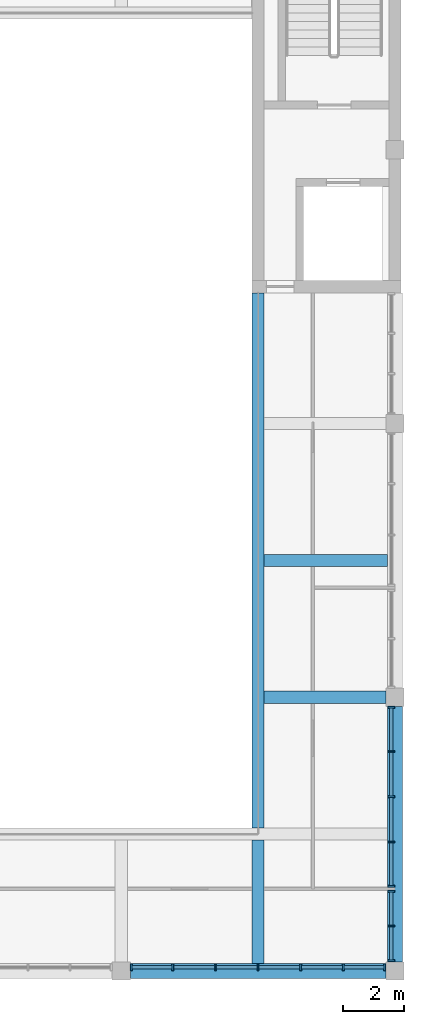
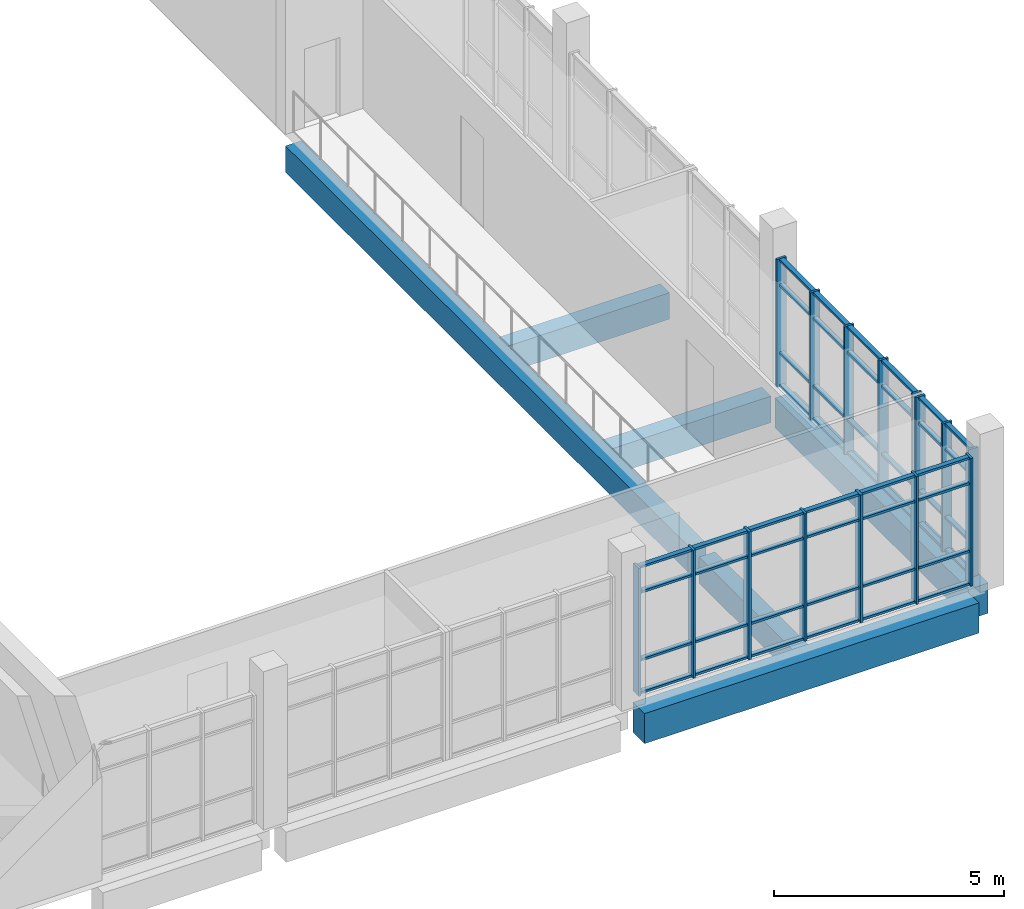
# One storey, part 12 of 88: 63 members, 6 beams, 3 elements without a shape of their own.
"""IFC4 building model written with IfcOpenShell, lengths in metres."""

from ifc_helpers import new_model, si_unit, direction, frame, origin, origin_2d, place, context, subcontext, project, spatial, rectangle, extrude, material, material_profile, profile_set, type_object, element, aggregate, save


model = new_model("IFC4")

# Units and contexts
model_context = context("Model", 3, precision=1e-05, world=origin(), true_north=direction((0.0, 1.0)))
body_context = subcontext(model_context, "Body", "Model", "MODEL_VIEW")
ifc_project = project(units=[si_unit("LENGTHUNIT", "METRE"), si_unit("AREAUNIT", "SQUARE_METRE"), si_unit("VOLUMEUNIT", "CUBIC_METRE"), si_unit("PLANEANGLEUNIT", "RADIAN"), si_unit("MASSUNIT", "GRAM", prefix="KILO")], contexts=[model_context])

# Site, building, storey
site_placement = place(None, origin())
site = spatial("IfcSite", under=ifc_project, at=site_placement, CompositionType="ELEMENT")
building_placement = place(site_placement, origin())
building = spatial("IfcBuilding", under=site, at=building_placement, Name="Merrow Basin Faculty of Sciences", CompositionType="ELEMENT")
storey_placement = place(building_placement, frame((0.0, 0.0, 9.0)))
storey = spatial("IfcBuildingStorey", under=building, at=storey_placement, Name="L02", CompositionType="ELEMENT", Elevation=9.0)

# Curtain wall, members
ifc_material_1 = material(Name="Aluminium alloy 6063", Category="aluminium")
curtain_wall_type = type_object("IfcCurtainWallType", Name="Atrium unitised curtain wall 240", PredefinedType="NOTDEFINED", material=ifc_material_1)
curtain_wall_1_placement = place(storey_placement, origin())
curtain_wall_1 = element("IfcCurtainWall", 1, at=curtain_wall_1_placement, inside=storey, type_object=curtain_wall_type, Name="E curtain wall L02 1", PredefinedType="NOTDEFINED")
ifc_material_2 = material(Name="Aluminium alloy 6063", Category="aluminium")
ifc_material_profile_1 = material_profile(ifc_material_2, rectangle(XDim=0.239990234375, YDim=0.06005859375, at=origin_2d()))
ifc_profile_set_1 = profile_set([ifc_material_profile_1], Name="Aluminium alloy 6063")
member_type_1 = type_object("IfcMemberType", Name="Aluminium mullion 60x240", PredefinedType="MULLION", material=ifc_profile_set_1)
member_1_placement = place(storey_placement, frame((71.8798828125, 0.330078125, 0.0), z_axis=(0.0, 0.0, 1.0), x_axis=(-1.0, 0.0, 0.0)))
member_1 = element("IfcMember", 2, at=member_1_placement, type_object=member_type_1, Name="CW5 mullion 1", PredefinedType="MULLION", context=body_context, shape_type="SweptSolid", body=[
    extrude(rectangle(XDim=0.239990234375, YDim=0.06005859375, at=origin_2d()), origin(), (0.0, 0.0, 1.0), 3.39990234375),
])
member_2_placement = place(storey_placement, frame((71.8798828125, 1.47509765625, 0.0), z_axis=(0.0, 0.0, 1.0), x_axis=(-1.0, 0.0, 0.0)))
member_2 = element("IfcMember", 3, at=member_2_placement, type_object=member_type_1, Name="CW5 mullion 2", PredefinedType="MULLION", context=body_context, shape_type="SweptSolid", body=[
    extrude(rectangle(XDim=0.239990234375, YDim=0.06005859375, at=origin_2d()), origin(), (0.0, 0.0, 1.0), 3.39990234375),
])
member_3_placement = place(storey_placement, frame((71.8798828125, 2.6201171875, 0.0), z_axis=(0.0, 0.0, 1.0), x_axis=(-1.0, 0.0, 0.0)))
member_3 = element("IfcMember", 4, at=member_3_placement, type_object=member_type_1, Name="CW5 mullion 3", PredefinedType="MULLION", context=body_context, shape_type="SweptSolid", body=[
    extrude(rectangle(XDim=0.239990234375, YDim=0.06005859375, at=origin_2d()), origin(), (0.0, 0.0, 1.0), 3.39990234375),
])

curtain_wall_2_placement = place(storey_placement, origin())
curtain_wall_2 = element("IfcCurtainWall", 5, at=curtain_wall_2_placement, inside=storey, type_object=curtain_wall_type, Name="E curtain wall L02 2", PredefinedType="NOTDEFINED")
member_4_placement = place(storey_placement, frame((71.8798828125, 2.780029296875, 0.0), z_axis=(0.0, 0.0, 1.0), x_axis=(-1.0, 0.0, 0.0)))
member_4 = element("IfcMember", 6, at=member_4_placement, type_object=member_type_1, Name="CW5 mullion 1", PredefinedType="MULLION", context=body_context, shape_type="SweptSolid", body=[
    extrude(rectangle(XDim=0.239990234375, YDim=0.06005859375, at=origin_2d()), origin(), (0.0, 0.0, 1.0), 3.39990234375),
])
member_5_placement = place(storey_placement, frame((71.8798828125, 4.237548828125, 0.0), z_axis=(0.0, 0.0, 1.0), x_axis=(-1.0, 0.0, 0.0)))
member_5 = element("IfcMember", 7, at=member_5_placement, type_object=member_type_1, Name="CW5 mullion 2", PredefinedType="MULLION", context=body_context, shape_type="SweptSolid", body=[
    extrude(rectangle(XDim=0.239990234375, YDim=0.06005859375, at=origin_2d()), origin(), (0.0, 0.0, 1.0), 3.39990234375),
])
member_6_placement = place(storey_placement, frame((71.8798828125, 5.72509765625, 0.0), z_axis=(0.0, 0.0, 1.0), x_axis=(-1.0, 0.0, 0.0)))
member_6 = element("IfcMember", 8, at=member_6_placement, type_object=member_type_1, Name="CW5 mullion 3", PredefinedType="MULLION", context=body_context, shape_type="SweptSolid", body=[
    extrude(rectangle(XDim=0.239990234375, YDim=0.06005859375, at=origin_2d()), origin(), (0.0, 0.0, 1.0), 3.39990234375),
])
member_7_placement = place(storey_placement, frame((71.8798828125, 7.21240234375, 0.0), z_axis=(0.0, 0.0, 1.0), x_axis=(-1.0, 0.0, 0.0)))
member_7 = element("IfcMember", 9, at=member_7_placement, type_object=member_type_1, Name="CW5 mullion 4", PredefinedType="MULLION", context=body_context, shape_type="SweptSolid", body=[
    extrude(rectangle(XDim=0.239990234375, YDim=0.06005859375, at=origin_2d()), origin(), (0.0, 0.0, 1.0), 3.39990234375),
])
member_8_placement = place(storey_placement, frame((71.8798828125, 8.669921875, 0.0), z_axis=(0.0, 0.0, 1.0), x_axis=(-1.0, 0.0, 0.0)))
member_8 = element("IfcMember", 10, at=member_8_placement, type_object=member_type_1, Name="CW5 mullion 5", PredefinedType="MULLION", context=body_context, shape_type="SweptSolid", body=[
    extrude(rectangle(XDim=0.239990234375, YDim=0.06005859375, at=origin_2d()), origin(), (0.0, 0.0, 1.0), 3.39990234375),
])

curtain_wall_3_placement = place(storey_placement, origin())
curtain_wall_3 = element("IfcCurtainWall", 11, at=curtain_wall_3_placement, inside=storey, type_object=curtain_wall_type, Name="S curtain wall L02 4", PredefinedType="NOTDEFINED")
member_9_placement = place(storey_placement, frame((63.330078125, 0.1201171875, 0.0), z_axis=(0.0, 0.0, 1.0), x_axis=(0.0, 1.0, 0.0)))
member_9 = element("IfcMember", 12, at=member_9_placement, type_object=member_type_1, Name="CW5 mullion 1", PredefinedType="MULLION", context=body_context, shape_type="SweptSolid", body=[
    extrude(rectangle(XDim=0.239990234375, YDim=0.06005859375, at=origin_2d()), origin(), (0.0, 0.0, 1.0), 3.39990234375),
])
member_10_placement = place(storey_placement, frame((64.699951171875, 0.1201171875, 0.0), z_axis=(0.0, 0.0, 1.0), x_axis=(0.0, 1.0, 0.0)))
member_10 = element("IfcMember", 13, at=member_10_placement, type_object=member_type_1, Name="CW5 mullion 2", PredefinedType="MULLION", context=body_context, shape_type="SweptSolid", body=[
    extrude(rectangle(XDim=0.239990234375, YDim=0.06005859375, at=origin_2d()), origin(), (0.0, 0.0, 1.0), 3.39990234375),
])
member_11_placement = place(storey_placement, frame((66.10009765625, 0.1201171875, 0.0), z_axis=(0.0, 0.0, 1.0), x_axis=(0.0, 1.0, 0.0)))
member_11 = element("IfcMember", 14, at=member_11_placement, type_object=member_type_1, Name="CW5 mullion 3", PredefinedType="MULLION", context=body_context, shape_type="SweptSolid", body=[
    extrude(rectangle(XDim=0.239990234375, YDim=0.06005859375, at=origin_2d()), origin(), (0.0, 0.0, 1.0), 3.39990234375),
])
member_12_placement = place(storey_placement, frame((67.5, 0.1201171875, 0.0), z_axis=(0.0, 0.0, 1.0), x_axis=(0.0, 1.0, 0.0)))
member_12 = element("IfcMember", 15, at=member_12_placement, type_object=member_type_1, Name="CW5 mullion 4", PredefinedType="MULLION", context=body_context, shape_type="SweptSolid", body=[
    extrude(rectangle(XDim=0.239990234375, YDim=0.06005859375, at=origin_2d()), origin(), (0.0, 0.0, 1.0), 3.39990234375),
])
member_13_placement = place(storey_placement, frame((68.89990234375, 0.1201171875, 0.0), z_axis=(0.0, 0.0, 1.0), x_axis=(0.0, 1.0, 0.0)))
member_13 = element("IfcMember", 16, at=member_13_placement, type_object=member_type_1, Name="CW5 mullion 5", PredefinedType="MULLION", context=body_context, shape_type="SweptSolid", body=[
    extrude(rectangle(XDim=0.239990234375, YDim=0.06005859375, at=origin_2d()), origin(), (0.0, 0.0, 1.0), 3.39990234375),
])
member_14_placement = place(storey_placement, frame((70.300048828125, 0.1201171875, 0.0), z_axis=(0.0, 0.0, 1.0), x_axis=(0.0, 1.0, 0.0)))
member_14 = element("IfcMember", 17, at=member_14_placement, type_object=member_type_1, Name="CW5 mullion 6", PredefinedType="MULLION", context=body_context, shape_type="SweptSolid", body=[
    extrude(rectangle(XDim=0.239990234375, YDim=0.06005859375, at=origin_2d()), origin(), (0.0, 0.0, 1.0), 3.39990234375),
])
member_15_placement = place(storey_placement, frame((71.669921875, 0.1201171875, 0.0), z_axis=(0.0, 0.0, 1.0), x_axis=(0.0, 1.0, 0.0)))
member_15 = element("IfcMember", 18, at=member_15_placement, type_object=member_type_1, Name="CW5 mullion 7", PredefinedType="MULLION", context=body_context, shape_type="SweptSolid", body=[
    extrude(rectangle(XDim=0.239990234375, YDim=0.06005859375, at=origin_2d()), origin(), (0.0, 0.0, 1.0), 3.39990234375),
])

# Member
ifc_material_3 = material(Name="Aluminium alloy 6063", Category="aluminium")
ifc_material_profile_2 = material_profile(ifc_material_3, rectangle(XDim=0.1201171875, YDim=0.06005859375, at=origin_2d()))
ifc_profile_set_2 = profile_set([ifc_material_profile_2], Name="Aluminium alloy 6063")
member_type_2 = type_object("IfcMemberType", Name="Aluminium transom 60x120", PredefinedType="USERDEFINED", material=ifc_profile_set_2)
member_16_placement = place(storey_placement, frame((71.8798828125, 0.360107421875, 0.030029296875), z_axis=(0.0, 1.0, 0.0), x_axis=(-1.0, 0.0, 0.0)))
member_16 = element("IfcMember", 19, at=member_16_placement, type_object=member_type_2, Name="CW5 transom 1.1", ObjectType="TRANSOM", PredefinedType="USERDEFINED", context=body_context, shape_type="SweptSolid", body=[
    extrude(rectangle(XDim=0.1201171875, YDim=0.06005859375, at=origin_2d()), origin(), (0.0, 0.0, 1.0), 1.0849609375),
])

member_17_placement = place(storey_placement, frame((71.8798828125, 0.360107421875, 0.89990234375), z_axis=(0.0, 1.0, 0.0), x_axis=(-1.0, 0.0, 0.0)))
member_17 = element("IfcMember", 20, at=member_17_placement, type_object=member_type_2, Name="CW5 transom 1.2", ObjectType="TRANSOM", PredefinedType="USERDEFINED", context=body_context, shape_type="SweptSolid", body=[
    extrude(rectangle(XDim=0.1201171875, YDim=0.06005859375, at=origin_2d()), origin(), (0.0, 0.0, 1.0), 1.0849609375),
])

member_18_placement = place(storey_placement, frame((71.8798828125, 0.360107421875, 2.699951171875), z_axis=(0.0, 1.0, 0.0), x_axis=(-1.0, 0.0, 0.0)))
member_18 = element("IfcMember", 21, at=member_18_placement, type_object=member_type_2, Name="CW5 transom 1.3", ObjectType="TRANSOM", PredefinedType="USERDEFINED", context=body_context, shape_type="SweptSolid", body=[
    extrude(rectangle(XDim=0.1201171875, YDim=0.06005859375, at=origin_2d()), origin(), (0.0, 0.0, 1.0), 1.0849609375),
])

member_19_placement = place(storey_placement, frame((71.8798828125, 0.360107421875, 3.3701171875), z_axis=(0.0, 1.0, 0.0), x_axis=(-1.0, 0.0, 0.0)))
member_19 = element("IfcMember", 22, at=member_19_placement, type_object=member_type_2, Name="CW5 transom 1.4", ObjectType="TRANSOM", PredefinedType="USERDEFINED", context=body_context, shape_type="SweptSolid", body=[
    extrude(rectangle(XDim=0.1201171875, YDim=0.06005859375, at=origin_2d()), origin(), (0.0, 0.0, 1.0), 1.0849609375),
])

member_20_placement = place(storey_placement, frame((71.8798828125, 1.5048828125, 0.030029296875), z_axis=(0.0, 1.0, 0.0), x_axis=(-1.0, 0.0, 0.0)))
member_20 = element("IfcMember", 23, at=member_20_placement, type_object=member_type_2, Name="CW5 transom 2.1", ObjectType="TRANSOM", PredefinedType="USERDEFINED", context=body_context, shape_type="SweptSolid", body=[
    extrude(rectangle(XDim=0.1201171875, YDim=0.06005859375, at=origin_2d()), origin(), (0.0, 0.0, 1.0), 1.085205078125),
])

member_21_placement = place(storey_placement, frame((71.8798828125, 1.5048828125, 0.89990234375), z_axis=(0.0, 1.0, 0.0), x_axis=(-1.0, 0.0, 0.0)))
member_21 = element("IfcMember", 24, at=member_21_placement, type_object=member_type_2, Name="CW5 transom 2.2", ObjectType="TRANSOM", PredefinedType="USERDEFINED", context=body_context, shape_type="SweptSolid", body=[
    extrude(rectangle(XDim=0.1201171875, YDim=0.06005859375, at=origin_2d()), origin(), (0.0, 0.0, 1.0), 1.085205078125),
])

member_22_placement = place(storey_placement, frame((71.8798828125, 1.5048828125, 2.699951171875), z_axis=(0.0, 1.0, 0.0), x_axis=(-1.0, 0.0, 0.0)))
member_22 = element("IfcMember", 25, at=member_22_placement, type_object=member_type_2, Name="CW5 transom 2.3", ObjectType="TRANSOM", PredefinedType="USERDEFINED", context=body_context, shape_type="SweptSolid", body=[
    extrude(rectangle(XDim=0.1201171875, YDim=0.06005859375, at=origin_2d()), origin(), (0.0, 0.0, 1.0), 1.085205078125),
])

member_23_placement = place(storey_placement, frame((71.8798828125, 1.5048828125, 3.3701171875), z_axis=(0.0, 1.0, 0.0), x_axis=(-1.0, 0.0, 0.0)))
member_23 = element("IfcMember", 26, at=member_23_placement, type_object=member_type_2, Name="CW5 transom 2.4", ObjectType="TRANSOM", PredefinedType="USERDEFINED", context=body_context, shape_type="SweptSolid", body=[
    extrude(rectangle(XDim=0.1201171875, YDim=0.06005859375, at=origin_2d()), origin(), (0.0, 0.0, 1.0), 1.085205078125),
])

aggregate(curtain_wall_1, [member_1, member_2, member_3, member_16, member_17, member_18, member_19, member_20, member_21, member_22, member_23])

member_24_placement = place(storey_placement, frame((71.8798828125, 2.81005859375, 0.030029296875), z_axis=(0.0, 1.0, 0.0), x_axis=(-1.0, 0.0, 0.0)))
member_24 = element("IfcMember", 27, at=member_24_placement, type_object=member_type_2, Name="CW5 transom 1.1", ObjectType="TRANSOM", PredefinedType="USERDEFINED", context=body_context, shape_type="SweptSolid", body=[
    extrude(rectangle(XDim=0.1201171875, YDim=0.06005859375, at=origin_2d()), origin(), (0.0, 0.0, 1.0), 1.3974609375),
])

member_25_placement = place(storey_placement, frame((71.8798828125, 2.81005859375, 0.89990234375), z_axis=(0.0, 1.0, 0.0), x_axis=(-1.0, 0.0, 0.0)))
member_25 = element("IfcMember", 28, at=member_25_placement, type_object=member_type_2, Name="CW5 transom 1.2", ObjectType="TRANSOM", PredefinedType="USERDEFINED", context=body_context, shape_type="SweptSolid", body=[
    extrude(rectangle(XDim=0.1201171875, YDim=0.06005859375, at=origin_2d()), origin(), (0.0, 0.0, 1.0), 1.3974609375),
])

member_26_placement = place(storey_placement, frame((71.8798828125, 2.81005859375, 2.699951171875), z_axis=(0.0, 1.0, 0.0), x_axis=(-1.0, 0.0, 0.0)))
member_26 = element("IfcMember", 29, at=member_26_placement, type_object=member_type_2, Name="CW5 transom 1.3", ObjectType="TRANSOM", PredefinedType="USERDEFINED", context=body_context, shape_type="SweptSolid", body=[
    extrude(rectangle(XDim=0.1201171875, YDim=0.06005859375, at=origin_2d()), origin(), (0.0, 0.0, 1.0), 1.3974609375),
])

member_27_placement = place(storey_placement, frame((71.8798828125, 2.81005859375, 3.3701171875), z_axis=(0.0, 1.0, 0.0), x_axis=(-1.0, 0.0, 0.0)))
member_27 = element("IfcMember", 30, at=member_27_placement, type_object=member_type_2, Name="CW5 transom 1.4", ObjectType="TRANSOM", PredefinedType="USERDEFINED", context=body_context, shape_type="SweptSolid", body=[
    extrude(rectangle(XDim=0.1201171875, YDim=0.06005859375, at=origin_2d()), origin(), (0.0, 0.0, 1.0), 1.3974609375),
])

member_28_placement = place(storey_placement, frame((71.8798828125, 4.267578125, 0.030029296875), z_axis=(0.0, 1.0, 0.0), x_axis=(-1.0, 0.0, 0.0)))
member_28 = element("IfcMember", 31, at=member_28_placement, type_object=member_type_2, Name="CW5 transom 2.1", ObjectType="TRANSOM", PredefinedType="USERDEFINED", context=body_context, shape_type="SweptSolid", body=[
    extrude(rectangle(XDim=0.1201171875, YDim=0.06005859375, at=origin_2d()), origin(), (0.0, 0.0, 1.0), 1.427490234375),
])

member_29_placement = place(storey_placement, frame((71.8798828125, 4.267578125, 0.89990234375), z_axis=(0.0, 1.0, 0.0), x_axis=(-1.0, 0.0, 0.0)))
member_29 = element("IfcMember", 32, at=member_29_placement, type_object=member_type_2, Name="CW5 transom 2.2", ObjectType="TRANSOM", PredefinedType="USERDEFINED", context=body_context, shape_type="SweptSolid", body=[
    extrude(rectangle(XDim=0.1201171875, YDim=0.06005859375, at=origin_2d()), origin(), (0.0, 0.0, 1.0), 1.427490234375),
])

member_30_placement = place(storey_placement, frame((71.8798828125, 4.267578125, 2.699951171875), z_axis=(0.0, 1.0, 0.0), x_axis=(-1.0, 0.0, 0.0)))
member_30 = element("IfcMember", 33, at=member_30_placement, type_object=member_type_2, Name="CW5 transom 2.3", ObjectType="TRANSOM", PredefinedType="USERDEFINED", context=body_context, shape_type="SweptSolid", body=[
    extrude(rectangle(XDim=0.1201171875, YDim=0.06005859375, at=origin_2d()), origin(), (0.0, 0.0, 1.0), 1.427490234375),
])

member_31_placement = place(storey_placement, frame((71.8798828125, 4.267578125, 3.3701171875), z_axis=(0.0, 1.0, 0.0), x_axis=(-1.0, 0.0, 0.0)))
member_31 = element("IfcMember", 34, at=member_31_placement, type_object=member_type_2, Name="CW5 transom 2.4", ObjectType="TRANSOM", PredefinedType="USERDEFINED", context=body_context, shape_type="SweptSolid", body=[
    extrude(rectangle(XDim=0.1201171875, YDim=0.06005859375, at=origin_2d()), origin(), (0.0, 0.0, 1.0), 1.427490234375),
])

member_32_placement = place(storey_placement, frame((71.8798828125, 5.7548828125, 0.030029296875), z_axis=(0.0, 1.0, 0.0), x_axis=(-1.0, 0.0, 0.0)))
member_32 = element("IfcMember", 35, at=member_32_placement, type_object=member_type_2, Name="CW5 transom 3.1", ObjectType="TRANSOM", PredefinedType="USERDEFINED", context=body_context, shape_type="SweptSolid", body=[
    extrude(rectangle(XDim=0.1201171875, YDim=0.06005859375, at=origin_2d()), origin(), (0.0, 0.0, 1.0), 1.427734375),
])

member_33_placement = place(storey_placement, frame((71.8798828125, 5.7548828125, 0.89990234375), z_axis=(0.0, 1.0, 0.0), x_axis=(-1.0, 0.0, 0.0)))
member_33 = element("IfcMember", 36, at=member_33_placement, type_object=member_type_2, Name="CW5 transom 3.2", ObjectType="TRANSOM", PredefinedType="USERDEFINED", context=body_context, shape_type="SweptSolid", body=[
    extrude(rectangle(XDim=0.1201171875, YDim=0.06005859375, at=origin_2d()), origin(), (0.0, 0.0, 1.0), 1.427734375),
])

member_34_placement = place(storey_placement, frame((71.8798828125, 5.7548828125, 2.699951171875), z_axis=(0.0, 1.0, 0.0), x_axis=(-1.0, 0.0, 0.0)))
member_34 = element("IfcMember", 37, at=member_34_placement, type_object=member_type_2, Name="CW5 transom 3.3", ObjectType="TRANSOM", PredefinedType="USERDEFINED", context=body_context, shape_type="SweptSolid", body=[
    extrude(rectangle(XDim=0.1201171875, YDim=0.06005859375, at=origin_2d()), origin(), (0.0, 0.0, 1.0), 1.427734375),
])

member_35_placement = place(storey_placement, frame((71.8798828125, 5.7548828125, 3.3701171875), z_axis=(0.0, 1.0, 0.0), x_axis=(-1.0, 0.0, 0.0)))
member_35 = element("IfcMember", 38, at=member_35_placement, type_object=member_type_2, Name="CW5 transom 3.4", ObjectType="TRANSOM", PredefinedType="USERDEFINED", context=body_context, shape_type="SweptSolid", body=[
    extrude(rectangle(XDim=0.1201171875, YDim=0.06005859375, at=origin_2d()), origin(), (0.0, 0.0, 1.0), 1.427734375),
])

member_36_placement = place(storey_placement, frame((71.8798828125, 7.242431640625, 0.030029296875), z_axis=(0.0, 1.0, 0.0), x_axis=(-1.0, 0.0, 0.0)))
member_36 = element("IfcMember", 39, at=member_36_placement, type_object=member_type_2, Name="CW5 transom 4.1", ObjectType="TRANSOM", PredefinedType="USERDEFINED", context=body_context, shape_type="SweptSolid", body=[
    extrude(rectangle(XDim=0.1201171875, YDim=0.06005859375, at=origin_2d()), origin(), (0.0, 0.0, 1.0), 1.3974609375),
])

member_37_placement = place(storey_placement, frame((71.8798828125, 7.242431640625, 0.89990234375), z_axis=(0.0, 1.0, 0.0), x_axis=(-1.0, 0.0, 0.0)))
member_37 = element("IfcMember", 40, at=member_37_placement, type_object=member_type_2, Name="CW5 transom 4.2", ObjectType="TRANSOM", PredefinedType="USERDEFINED", context=body_context, shape_type="SweptSolid", body=[
    extrude(rectangle(XDim=0.1201171875, YDim=0.06005859375, at=origin_2d()), origin(), (0.0, 0.0, 1.0), 1.3974609375),
])

member_38_placement = place(storey_placement, frame((71.8798828125, 7.242431640625, 2.699951171875), z_axis=(0.0, 1.0, 0.0), x_axis=(-1.0, 0.0, 0.0)))
member_38 = element("IfcMember", 41, at=member_38_placement, type_object=member_type_2, Name="CW5 transom 4.3", ObjectType="TRANSOM", PredefinedType="USERDEFINED", context=body_context, shape_type="SweptSolid", body=[
    extrude(rectangle(XDim=0.1201171875, YDim=0.06005859375, at=origin_2d()), origin(), (0.0, 0.0, 1.0), 1.3974609375),
])

member_39_placement = place(storey_placement, frame((71.8798828125, 7.242431640625, 3.3701171875), z_axis=(0.0, 1.0, 0.0), x_axis=(-1.0, 0.0, 0.0)))
member_39 = element("IfcMember", 42, at=member_39_placement, type_object=member_type_2, Name="CW5 transom 4.4", ObjectType="TRANSOM", PredefinedType="USERDEFINED", context=body_context, shape_type="SweptSolid", body=[
    extrude(rectangle(XDim=0.1201171875, YDim=0.06005859375, at=origin_2d()), origin(), (0.0, 0.0, 1.0), 1.3974609375),
])

aggregate(curtain_wall_2, [member_4, member_5, member_6, member_7, member_8, member_24, member_25, member_26, member_27, member_28, member_29, member_30, member_31, member_32, member_33, member_34, member_35, member_36, member_37, member_38, member_39])

member_40_placement = place(storey_placement, frame((63.360107421875, 0.1201171875, 0.030029296875), z_axis=(1.0, 0.0, 0.0), x_axis=(0.0, 1.0, 0.0)))
member_40 = element("IfcMember", 43, at=member_40_placement, type_object=member_type_2, Name="CW5 transom 1.1", ObjectType="TRANSOM", PredefinedType="USERDEFINED", context=body_context, shape_type="SweptSolid", body=[
    extrude(rectangle(XDim=0.1201171875, YDim=0.06005859375, at=origin_2d()), origin(), (0.0, 0.0, 1.0), 1.309814453125),
])

member_41_placement = place(storey_placement, frame((63.360107421875, 0.1201171875, 0.89990234375), z_axis=(1.0, 0.0, 0.0), x_axis=(0.0, 1.0, 0.0)))
member_41 = element("IfcMember", 44, at=member_41_placement, type_object=member_type_2, Name="CW5 transom 1.2", ObjectType="TRANSOM", PredefinedType="USERDEFINED", context=body_context, shape_type="SweptSolid", body=[
    extrude(rectangle(XDim=0.1201171875, YDim=0.06005859375, at=origin_2d()), origin(), (0.0, 0.0, 1.0), 1.309814453125),
])

member_42_placement = place(storey_placement, frame((63.360107421875, 0.1201171875, 2.699951171875), z_axis=(1.0, 0.0, 0.0), x_axis=(0.0, 1.0, 0.0)))
member_42 = element("IfcMember", 45, at=member_42_placement, type_object=member_type_2, Name="CW5 transom 1.3", ObjectType="TRANSOM", PredefinedType="USERDEFINED", context=body_context, shape_type="SweptSolid", body=[
    extrude(rectangle(XDim=0.1201171875, YDim=0.06005859375, at=origin_2d()), origin(), (0.0, 0.0, 1.0), 1.309814453125),
])

member_43_placement = place(storey_placement, frame((63.360107421875, 0.1201171875, 3.3701171875), z_axis=(1.0, 0.0, 0.0), x_axis=(0.0, 1.0, 0.0)))
member_43 = element("IfcMember", 46, at=member_43_placement, type_object=member_type_2, Name="CW5 transom 1.4", ObjectType="TRANSOM", PredefinedType="USERDEFINED", context=body_context, shape_type="SweptSolid", body=[
    extrude(rectangle(XDim=0.1201171875, YDim=0.06005859375, at=origin_2d()), origin(), (0.0, 0.0, 1.0), 1.309814453125),
])

member_44_placement = place(storey_placement, frame((64.72998046875, 0.1201171875, 0.030029296875), z_axis=(1.0, 0.0, 0.0), x_axis=(0.0, 1.0, 0.0)))
member_44 = element("IfcMember", 47, at=member_44_placement, type_object=member_type_2, Name="CW5 transom 2.1", ObjectType="TRANSOM", PredefinedType="USERDEFINED", context=body_context, shape_type="SweptSolid", body=[
    extrude(rectangle(XDim=0.1201171875, YDim=0.06005859375, at=origin_2d()), origin(), (0.0, 0.0, 1.0), 1.340087890625),
])

member_45_placement = place(storey_placement, frame((64.72998046875, 0.1201171875, 0.89990234375), z_axis=(1.0, 0.0, 0.0), x_axis=(0.0, 1.0, 0.0)))
member_45 = element("IfcMember", 48, at=member_45_placement, type_object=member_type_2, Name="CW5 transom 2.2", ObjectType="TRANSOM", PredefinedType="USERDEFINED", context=body_context, shape_type="SweptSolid", body=[
    extrude(rectangle(XDim=0.1201171875, YDim=0.06005859375, at=origin_2d()), origin(), (0.0, 0.0, 1.0), 1.340087890625),
])

member_46_placement = place(storey_placement, frame((64.72998046875, 0.1201171875, 2.699951171875), z_axis=(1.0, 0.0, 0.0), x_axis=(0.0, 1.0, 0.0)))
member_46 = element("IfcMember", 49, at=member_46_placement, type_object=member_type_2, Name="CW5 transom 2.3", ObjectType="TRANSOM", PredefinedType="USERDEFINED", context=body_context, shape_type="SweptSolid", body=[
    extrude(rectangle(XDim=0.1201171875, YDim=0.06005859375, at=origin_2d()), origin(), (0.0, 0.0, 1.0), 1.340087890625),
])

member_47_placement = place(storey_placement, frame((64.72998046875, 0.1201171875, 3.3701171875), z_axis=(1.0, 0.0, 0.0), x_axis=(0.0, 1.0, 0.0)))
member_47 = element("IfcMember", 50, at=member_47_placement, type_object=member_type_2, Name="CW5 transom 2.4", ObjectType="TRANSOM", PredefinedType="USERDEFINED", context=body_context, shape_type="SweptSolid", body=[
    extrude(rectangle(XDim=0.1201171875, YDim=0.06005859375, at=origin_2d()), origin(), (0.0, 0.0, 1.0), 1.340087890625),
])

member_48_placement = place(storey_placement, frame((66.1298828125, 0.1201171875, 0.030029296875), z_axis=(1.0, 0.0, 0.0), x_axis=(0.0, 1.0, 0.0)))
member_48 = element("IfcMember", 51, at=member_48_placement, type_object=member_type_2, Name="CW5 transom 3.1", ObjectType="TRANSOM", PredefinedType="USERDEFINED", context=body_context, shape_type="SweptSolid", body=[
    extrude(rectangle(XDim=0.1201171875, YDim=0.06005859375, at=origin_2d()), origin(), (0.0, 0.0, 1.0), 1.340087890625),
])

member_49_placement = place(storey_placement, frame((66.1298828125, 0.1201171875, 0.89990234375), z_axis=(1.0, 0.0, 0.0), x_axis=(0.0, 1.0, 0.0)))
member_49 = element("IfcMember", 52, at=member_49_placement, type_object=member_type_2, Name="CW5 transom 3.2", ObjectType="TRANSOM", PredefinedType="USERDEFINED", context=body_context, shape_type="SweptSolid", body=[
    extrude(rectangle(XDim=0.1201171875, YDim=0.06005859375, at=origin_2d()), origin(), (0.0, 0.0, 1.0), 1.340087890625),
])

member_50_placement = place(storey_placement, frame((66.1298828125, 0.1201171875, 2.699951171875), z_axis=(1.0, 0.0, 0.0), x_axis=(0.0, 1.0, 0.0)))
member_50 = element("IfcMember", 53, at=member_50_placement, type_object=member_type_2, Name="CW5 transom 3.3", ObjectType="TRANSOM", PredefinedType="USERDEFINED", context=body_context, shape_type="SweptSolid", body=[
    extrude(rectangle(XDim=0.1201171875, YDim=0.06005859375, at=origin_2d()), origin(), (0.0, 0.0, 1.0), 1.340087890625),
])

member_51_placement = place(storey_placement, frame((66.1298828125, 0.1201171875, 3.3701171875), z_axis=(1.0, 0.0, 0.0), x_axis=(0.0, 1.0, 0.0)))
member_51 = element("IfcMember", 54, at=member_51_placement, type_object=member_type_2, Name="CW5 transom 3.4", ObjectType="TRANSOM", PredefinedType="USERDEFINED", context=body_context, shape_type="SweptSolid", body=[
    extrude(rectangle(XDim=0.1201171875, YDim=0.06005859375, at=origin_2d()), origin(), (0.0, 0.0, 1.0), 1.340087890625),
])

member_52_placement = place(storey_placement, frame((67.530029296875, 0.1201171875, 0.030029296875), z_axis=(1.0, 0.0, 0.0), x_axis=(0.0, 1.0, 0.0)))
member_52 = element("IfcMember", 55, at=member_52_placement, type_object=member_type_2, Name="CW5 transom 4.1", ObjectType="TRANSOM", PredefinedType="USERDEFINED", context=body_context, shape_type="SweptSolid", body=[
    extrude(rectangle(XDim=0.1201171875, YDim=0.06005859375, at=origin_2d()), origin(), (0.0, 0.0, 1.0), 1.340087890625),
])

member_53_placement = place(storey_placement, frame((67.530029296875, 0.1201171875, 0.89990234375), z_axis=(1.0, 0.0, 0.0), x_axis=(0.0, 1.0, 0.0)))
member_53 = element("IfcMember", 56, at=member_53_placement, type_object=member_type_2, Name="CW5 transom 4.2", ObjectType="TRANSOM", PredefinedType="USERDEFINED", context=body_context, shape_type="SweptSolid", body=[
    extrude(rectangle(XDim=0.1201171875, YDim=0.06005859375, at=origin_2d()), origin(), (0.0, 0.0, 1.0), 1.340087890625),
])

member_54_placement = place(storey_placement, frame((67.530029296875, 0.1201171875, 2.699951171875), z_axis=(1.0, 0.0, 0.0), x_axis=(0.0, 1.0, 0.0)))
member_54 = element("IfcMember", 57, at=member_54_placement, type_object=member_type_2, Name="CW5 transom 4.3", ObjectType="TRANSOM", PredefinedType="USERDEFINED", context=body_context, shape_type="SweptSolid", body=[
    extrude(rectangle(XDim=0.1201171875, YDim=0.06005859375, at=origin_2d()), origin(), (0.0, 0.0, 1.0), 1.340087890625),
])

member_55_placement = place(storey_placement, frame((67.530029296875, 0.1201171875, 3.3701171875), z_axis=(1.0, 0.0, 0.0), x_axis=(0.0, 1.0, 0.0)))
member_55 = element("IfcMember", 58, at=member_55_placement, type_object=member_type_2, Name="CW5 transom 4.4", ObjectType="TRANSOM", PredefinedType="USERDEFINED", context=body_context, shape_type="SweptSolid", body=[
    extrude(rectangle(XDim=0.1201171875, YDim=0.06005859375, at=origin_2d()), origin(), (0.0, 0.0, 1.0), 1.340087890625),
])

member_56_placement = place(storey_placement, frame((68.929931640625, 0.1201171875, 0.030029296875), z_axis=(1.0, 0.0, 0.0), x_axis=(0.0, 1.0, 0.0)))
member_56 = element("IfcMember", 59, at=member_56_placement, type_object=member_type_2, Name="CW5 transom 5.1", ObjectType="TRANSOM", PredefinedType="USERDEFINED", context=body_context, shape_type="SweptSolid", body=[
    extrude(rectangle(XDim=0.1201171875, YDim=0.06005859375, at=origin_2d()), origin(), (0.0, 0.0, 1.0), 1.340087890625),
])

member_57_placement = place(storey_placement, frame((68.929931640625, 0.1201171875, 0.89990234375), z_axis=(1.0, 0.0, 0.0), x_axis=(0.0, 1.0, 0.0)))
member_57 = element("IfcMember", 60, at=member_57_placement, type_object=member_type_2, Name="CW5 transom 5.2", ObjectType="TRANSOM", PredefinedType="USERDEFINED", context=body_context, shape_type="SweptSolid", body=[
    extrude(rectangle(XDim=0.1201171875, YDim=0.06005859375, at=origin_2d()), origin(), (0.0, 0.0, 1.0), 1.340087890625),
])

member_58_placement = place(storey_placement, frame((68.929931640625, 0.1201171875, 2.699951171875), z_axis=(1.0, 0.0, 0.0), x_axis=(0.0, 1.0, 0.0)))
member_58 = element("IfcMember", 61, at=member_58_placement, type_object=member_type_2, Name="CW5 transom 5.3", ObjectType="TRANSOM", PredefinedType="USERDEFINED", context=body_context, shape_type="SweptSolid", body=[
    extrude(rectangle(XDim=0.1201171875, YDim=0.06005859375, at=origin_2d()), origin(), (0.0, 0.0, 1.0), 1.340087890625),
])

member_59_placement = place(storey_placement, frame((68.929931640625, 0.1201171875, 3.3701171875), z_axis=(1.0, 0.0, 0.0), x_axis=(0.0, 1.0, 0.0)))
member_59 = element("IfcMember", 62, at=member_59_placement, type_object=member_type_2, Name="CW5 transom 5.4", ObjectType="TRANSOM", PredefinedType="USERDEFINED", context=body_context, shape_type="SweptSolid", body=[
    extrude(rectangle(XDim=0.1201171875, YDim=0.06005859375, at=origin_2d()), origin(), (0.0, 0.0, 1.0), 1.340087890625),
])

member_60_placement = place(storey_placement, frame((70.330078125, 0.1201171875, 0.030029296875), z_axis=(1.0, 0.0, 0.0), x_axis=(0.0, 1.0, 0.0)))
member_60 = element("IfcMember", 63, at=member_60_placement, type_object=member_type_2, Name="CW5 transom 6.1", ObjectType="TRANSOM", PredefinedType="USERDEFINED", context=body_context, shape_type="SweptSolid", body=[
    extrude(rectangle(XDim=0.1201171875, YDim=0.06005859375, at=origin_2d()), origin(), (0.0, 0.0, 1.0), 1.309814453125),
])

member_61_placement = place(storey_placement, frame((70.330078125, 0.1201171875, 0.89990234375), z_axis=(1.0, 0.0, 0.0), x_axis=(0.0, 1.0, 0.0)))
member_61 = element("IfcMember", 64, at=member_61_placement, type_object=member_type_2, Name="CW5 transom 6.2", ObjectType="TRANSOM", PredefinedType="USERDEFINED", context=body_context, shape_type="SweptSolid", body=[
    extrude(rectangle(XDim=0.1201171875, YDim=0.06005859375, at=origin_2d()), origin(), (0.0, 0.0, 1.0), 1.309814453125),
])

member_62_placement = place(storey_placement, frame((70.330078125, 0.1201171875, 2.699951171875), z_axis=(1.0, 0.0, 0.0), x_axis=(0.0, 1.0, 0.0)))
member_62 = element("IfcMember", 65, at=member_62_placement, type_object=member_type_2, Name="CW5 transom 6.3", ObjectType="TRANSOM", PredefinedType="USERDEFINED", context=body_context, shape_type="SweptSolid", body=[
    extrude(rectangle(XDim=0.1201171875, YDim=0.06005859375, at=origin_2d()), origin(), (0.0, 0.0, 1.0), 1.309814453125),
])

member_63_placement = place(storey_placement, frame((70.330078125, 0.1201171875, 3.3701171875), z_axis=(1.0, 0.0, 0.0), x_axis=(0.0, 1.0, 0.0)))
member_63 = element("IfcMember", 66, at=member_63_placement, type_object=member_type_2, Name="CW5 transom 6.4", ObjectType="TRANSOM", PredefinedType="USERDEFINED", context=body_context, shape_type="SweptSolid", body=[
    extrude(rectangle(XDim=0.1201171875, YDim=0.06005859375, at=origin_2d()), origin(), (0.0, 0.0, 1.0), 1.309814453125),
])

aggregate(curtain_wall_3, [member_9, member_10, member_11, member_12, member_13, member_14, member_15, member_40, member_41, member_42, member_43, member_44, member_45, member_46, member_47, member_48, member_49, member_50, member_51, member_52, member_53, member_54, member_55, member_56, member_57, member_58, member_59, member_60, member_61, member_62, member_63])

# Beams
ifc_material_4 = material(Name="Concrete C40/50", Category="concrete")
ifc_material_profile_3 = material_profile(ifc_material_4, rectangle(XDim=0.5, YDim=0.800048828125, at=origin_2d()))
ifc_profile_set_3 = profile_set([ifc_material_profile_3], Name="Concrete C40/50")
beam_type_1 = type_object("IfcBeamType", Name="Beam RC500x800 C40/50", PredefinedType="BEAM", material=ifc_profile_set_3)
for number, where, z_axis, x_axis, name in (
    (67, (63.300048828125, 0.0, -0.699951171875), (1.0, 0.0, 0.0), (0.0, 1.0, 0.0), "B4 L02 003"),
    (68, (72.0, 0.300048828125, -0.699951171875), (0.0, 1.0, 0.0), (-1.0, 0.0, 0.0), "B4 L02 010"),
):
    element("IfcBeam", number, at=place(storey_placement, frame(where, z_axis=z_axis, x_axis=x_axis)), inside=storey, type_object=beam_type_1, Name=name, PredefinedType="BEAM", context=body_context, shape_type="SweptSolid", body=[
        extrude(rectangle(XDim=0.5, YDim=0.800048828125, at=origin_2d()), origin(), (0.0, 0.0, 1.0), 8.39990234375),
    ])
ifc_material_5 = material(Name="Concrete C40/50", Category="concrete")
ifc_material_profile_4 = material_profile(ifc_material_5, rectangle(XDim=0.39990234375, YDim=0.699951171875, at=origin_2d()))
ifc_profile_set_4 = profile_set([ifc_material_profile_4], Name="Concrete C40/50")
beam_type_2 = type_object("IfcBeamType", Name="Gallery edge beam RC400x700 C40/50", PredefinedType="BEAM", material=ifc_profile_set_4)
beam_1_placement = place(storey_placement, frame((67.5, 0.25, -0.64990234375), z_axis=(0.0, 1.0, 0.0), x_axis=(-1.0, 0.0, 0.0)))
element("IfcBeam", 69, at=beam_1_placement, inside=storey, type_object=beam_type_2, Name="GB1 L02 017", PredefinedType="BEAM", context=body_context, shape_type="SweptSolid", body=[
    extrude(rectangle(XDim=0.39990234375, YDim=0.699951171875, at=origin_2d()), origin(), (0.0, 0.0, 1.0), 4.050048828125),
])
beam_2_placement = place(storey_placement, frame((67.5, 4.699951171875, -0.64990234375), z_axis=(0.0, 1.0, 0.0), x_axis=(-1.0, 0.0, 0.0)))
element("IfcBeam", 70, at=beam_2_placement, inside=storey, type_object=beam_type_2, Name="GB1 L02 018", PredefinedType="BEAM", context=body_context, shape_type="SweptSolid", body=[
    extrude(rectangle(XDim=0.39990234375, YDim=0.699951171875, at=origin_2d()), origin(), (0.0, 0.0, 1.0), 17.60009765625),
])
beam_3_placement = place(storey_placement, frame((67.699951171875, 13.5, -0.64990234375), z_axis=(1.0, 0.0, 0.0), x_axis=(0.0, 1.0, 0.0)))
element("IfcBeam", 71, at=beam_3_placement, inside=storey, type_object=beam_type_2, Name="GB1 L02 025", PredefinedType="BEAM", context=body_context, shape_type="SweptSolid", body=[
    extrude(rectangle(XDim=0.39990234375, YDim=0.699951171875, at=origin_2d()), origin(), (0.0, 0.0, 1.0), 4.050048828125),
])
beam_4_placement = place(storey_placement, frame((67.699951171875, 9.0, -0.64990234375), z_axis=(1.0, 0.0, 0.0), x_axis=(0.0, 1.0, 0.0)))
element("IfcBeam", 72, at=beam_4_placement, inside=storey, type_object=beam_type_2, Name="GB1 L02 027", PredefinedType="BEAM", context=body_context, shape_type="SweptSolid", body=[
    extrude(rectangle(XDim=0.39990234375, YDim=0.699951171875, at=origin_2d()), origin(), (0.0, 0.0, 1.0), 4.0),
])

save(model, "model.ifc")
